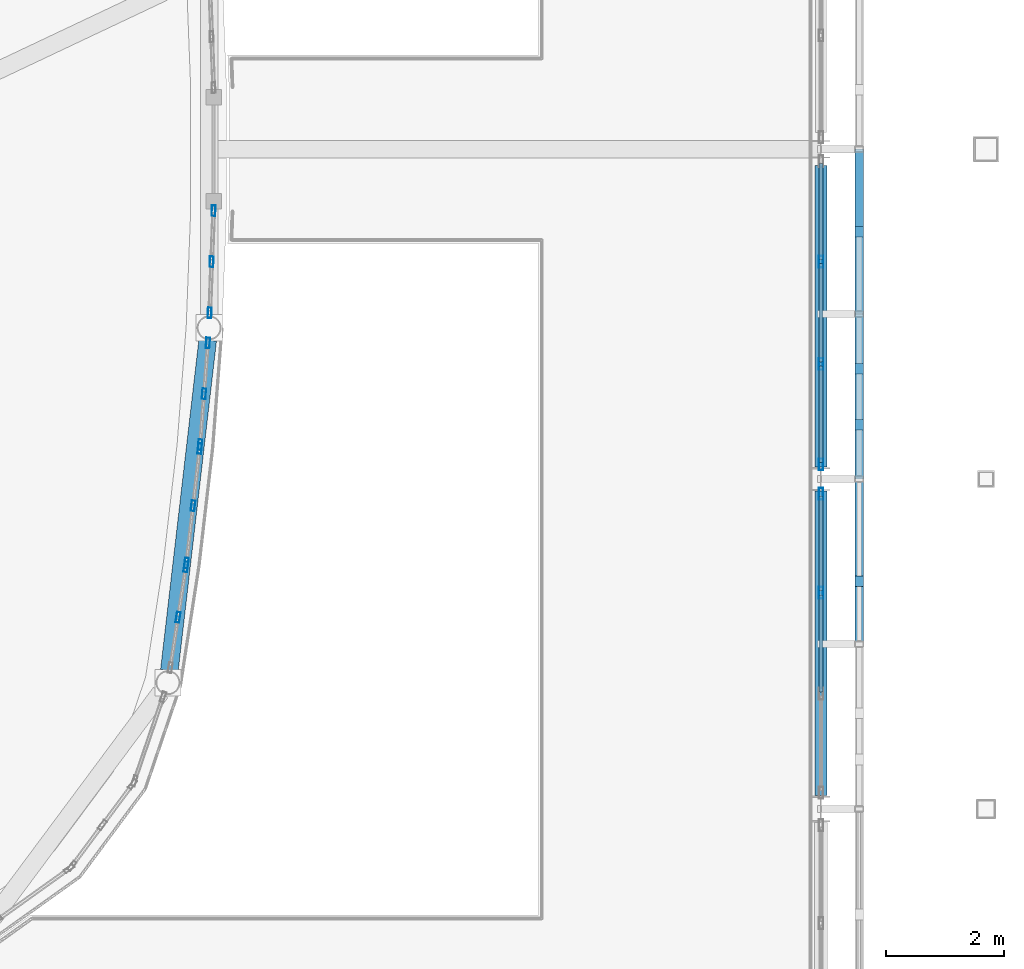
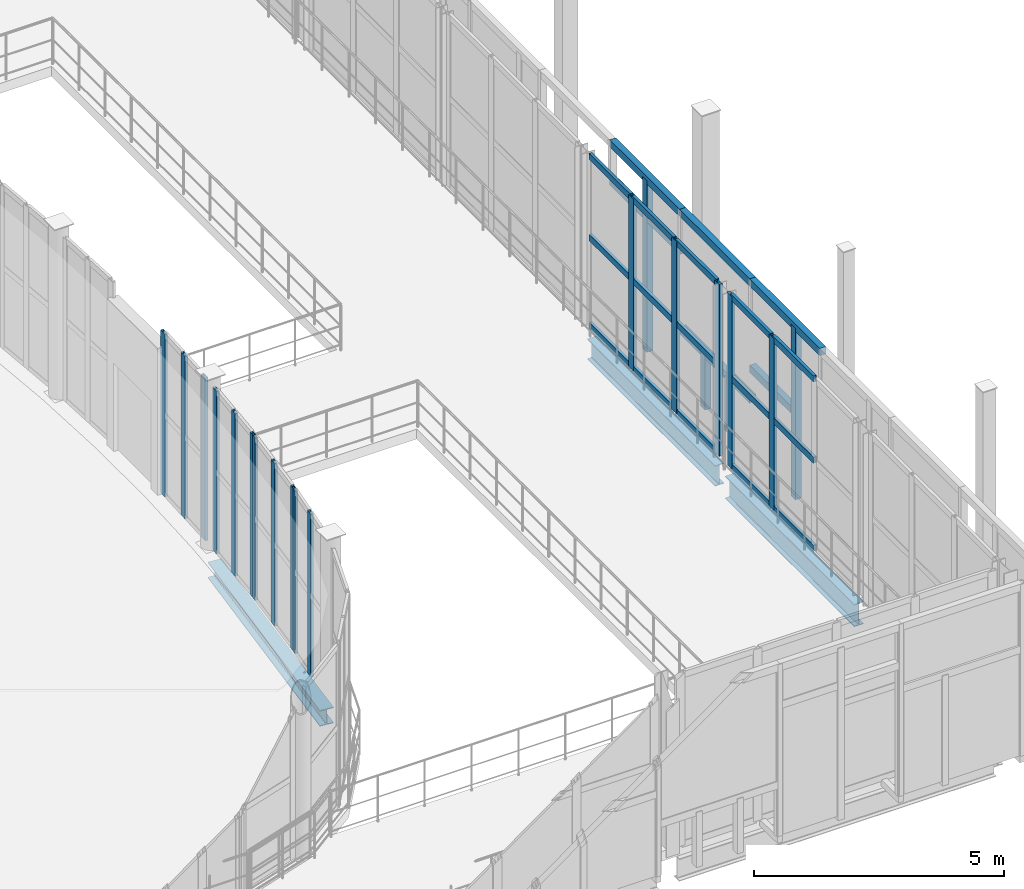
# One storey, part 47 of 121: 41 members, 3 beams, 6 elements without a shape of their own.
"""IFC4 building model written with IfcOpenShell, lengths in metres."""

from ifc_helpers import new_model, si_unit, direction, frame, origin, origin_2d, place, context, subcontext, project, spatial, rectangle, hollow_rectangle, i_section, extrude, material, layer, layer_set, material_profile, profile_set, type_object, element, aggregate, save


model = new_model("IFC4")

# Units and contexts
model_context = context("Model", 3, precision=1e-05, world=origin(), true_north=direction((0.0, 1.0)))
body_context = subcontext(model_context, "Body", "Model", "MODEL_VIEW")
ifc_project = project(units=[si_unit("LENGTHUNIT", "METRE"), si_unit("AREAUNIT", "SQUARE_METRE"), si_unit("VOLUMEUNIT", "CUBIC_METRE"), si_unit("PLANEANGLEUNIT", "RADIAN"), si_unit("MASSUNIT", "GRAM", prefix="KILO")], contexts=[model_context])

# Site, building, storey
site_placement = place(None, origin())
site = spatial("IfcSite", under=ifc_project, at=site_placement, CompositionType="ELEMENT")
building_placement = place(site_placement, origin())
building = spatial("IfcBuilding", under=site, at=building_placement, Name="Vinh Khe Railworks Police Headquarters", CompositionType="ELEMENT")
storey_placement = place(building_placement, frame((0.0, 0.0, 4.800048828125)))
storey = spatial("IfcBuildingStorey", under=building, at=storey_placement, Name="L01", CompositionType="ELEMENT", Elevation=4.800048828125)

# Members
ifc_material_1 = material(Name="Salvaged ironwood timber", Category="wood")
ifc_material_profile_1 = material_profile(ifc_material_1, rectangle(XDim=0.139892578125, YDim=0.179931640625, at=origin_2d()), Name="TIMBER 140x180")
ifc_profile_set_1 = profile_set([ifc_material_profile_1], Name="Salvaged ironwood timber")
member_type_1 = type_object("IfcMemberType", Name="MEM-QUILT-STILE", PredefinedType="CHORD", material=ifc_profile_set_1)
member_1_placement = place(storey_placement, frame((60.64990234375, 33.60009765625, 4.119873046875), z_axis=(0.0, 1.0, 0.0), x_axis=(-1.0, 0.0, 0.0)))
element("IfcMember", 1, at=member_1_placement, inside=storey, type_object=member_type_1, Name="Salvaged Timber Quilt Transom E-L01-03-TOP", PredefinedType="CHORD", context=body_context, shape_type="SweptSolid", body=[
    extrude(rectangle(XDim=0.139892578125, YDim=0.179931640625, at=origin_2d()), origin(), (0.0, 0.0, 1.0), 2.7998046875),
])
member_2_placement = place(storey_placement, frame((60.64990234375, 34.6640625, -0.080078125), z_axis=(0.0, 0.0, 1.0), x_axis=(1.0, 0.0, 0.0)))
element("IfcMember", 2, at=member_2_placement, inside=storey, type_object=member_type_1, Name="Salvaged Timber Quilt Stile E-L01-03-V1", PredefinedType="POST", context=body_context, shape_type="SweptSolid", body=[
    extrude(rectangle(XDim=0.139892578125, YDim=0.179931640625, at=origin_2d()), origin(), (0.0, 0.0, 1.0), 4.199951171875),
])
member_3_placement = place(storey_placement, frame((60.64990234375, 34.6640625, 2.015869140625), z_axis=(0.0, 1.0, 0.0), x_axis=(-1.0, 0.0, 0.0)))
element("IfcMember", 3, at=member_3_placement, inside=storey, type_object=member_type_1, Name="Salvaged Timber Quilt Transom E-L01-03-M1", PredefinedType="CHORD", context=body_context, shape_type="SweptSolid", body=[
    extrude(rectangle(XDim=0.139892578125, YDim=0.179931640625, at=origin_2d()), origin(), (0.0, 0.0, 1.0), 1.73583984375),
])
for number, where, z_axis, x_axis, name in (
    (4, (60.64990234375, 36.39990234375, 4.119873046875), (0.0, 1.0, 0.0), (-1.0, 0.0, 0.0), "Salvaged Timber Quilt Transom E-L01-04-TOP"),
    (5, (60.64990234375, 36.39990234375, 1.260009765625), (0.0, 1.0, 0.0), (-1.0, 0.0, 0.0), "Salvaged Timber Quilt Transom E-L01-04-M1"),
):
    element("IfcMember", number, at=place(storey_placement, frame(where, z_axis=z_axis, x_axis=x_axis)), inside=storey, type_object=member_type_1, Name=name, PredefinedType="CHORD", context=body_context, shape_type="SweptSolid", body=[
        extrude(rectangle(XDim=0.139892578125, YDim=0.179931640625, at=origin_2d()), origin(), (0.0, 0.0, 1.0), 2.800048828125),
    ])
for number, where, z_axis, x_axis, name in (
    (6, (60.64990234375, 37.323974609375, -0.080078125), (0.0, 0.0, 1.0), (1.0, 0.0, 0.0), "Salvaged Timber Quilt Stile E-L01-04-V1"),
    (7, (60.64990234375, 38.27587890625, -0.080078125), (0.0, 0.0, 1.0), (1.0, 0.0, 0.0), "Salvaged Timber Quilt Stile E-L01-04-V2"),
):
    element("IfcMember", number, at=place(storey_placement, frame(where, z_axis=z_axis, x_axis=x_axis)), inside=storey, type_object=member_type_1, Name=name, PredefinedType="POST", context=body_context, shape_type="SweptSolid", body=[
        extrude(rectangle(XDim=0.139892578125, YDim=0.179931640625, at=origin_2d()), origin(), (0.0, 0.0, 1.0), 1.340087890625),
    ])
for number, where, z_axis, x_axis, name in (
    (8, (60.64990234375, 39.199951171875, 4.119873046875), (0.0, 1.0, 0.0), (-1.0, 0.0, 0.0), "Salvaged Timber Quilt Transom E-L01-05-TOP"),
    (9, (60.64990234375, 39.199951171875, 3.19189453125), (0.0, 1.0, 0.0), (-1.0, 0.0, 0.0), "Salvaged Timber Quilt Transom E-L01-05-M1"),
):
    element("IfcMember", number, at=place(storey_placement, frame(where, z_axis=z_axis, x_axis=x_axis)), inside=storey, type_object=member_type_1, Name=name, PredefinedType="CHORD", context=body_context, shape_type="SweptSolid", body=[
        extrude(rectangle(XDim=0.139892578125, YDim=0.179931640625, at=origin_2d()), origin(), (0.0, 0.0, 1.0), 2.800048828125),
    ])
member_4_placement = place(storey_placement, frame((60.64990234375, 40.60009765625, -0.080078125), z_axis=(0.0, 0.0, 1.0), x_axis=(1.0, 0.0, 0.0)))
element("IfcMember", 10, at=member_4_placement, inside=storey, type_object=member_type_1, Name="Salvaged Timber Quilt Stile E-L01-05-V1", PredefinedType="POST", context=body_context, shape_type="SweptSolid", body=[
    extrude(rectangle(XDim=0.139892578125, YDim=0.179931640625, at=origin_2d()), origin(), (0.0, 0.0, 1.0), 4.199951171875),
])

# Curtain wall, members
ifc_material_2 = material(Name="Anodised aluminium and acoustic laminated glass", Category="aluminium")
ifc_layer_1 = layer(ifc_material_2, 0.159912109375)
ifc_layer_set_1 = layer_set([ifc_layer_1], Name="Anodised aluminium and acoustic laminated glass")
curtain_wall_type_1 = type_object("IfcCurtainWallType", Name="CW-DRUM-CHORD", PredefinedType="USERDEFINED", material=ifc_layer_set_1)
curtain_wall_1_placement = place(storey_placement, origin())
curtain_wall_1 = element("IfcCurtainWall", 11, at=curtain_wall_1_placement, inside=storey, type_object=curtain_wall_type_1, Name="Elliptical Command Drum Glazing L01 Chord 1", ObjectType="DRUM FACADE GLAZING", PredefinedType="USERDEFINED")
ifc_material_3 = material(Name="Anodised aluminium 6063-T6", Category="aluminium")
ifc_material_profile_2 = material_profile(ifc_material_3, hollow_rectangle(XDim=0.06494140625, YDim=0.179931640625, WallThickness=0.0048828125, at=origin_2d()), Name="CW-M 65x180x5")
ifc_profile_set_2 = profile_set([ifc_material_profile_2], Name="Anodised aluminium 6063-T6")
member_type_2 = type_object("IfcMemberType", Name="MULL-CWM-02", PredefinedType="MULLION", material=ifc_profile_set_2)
member_5_placement = place(storey_placement, frame((49.08544921875, 34.0537109375, 0.0), z_axis=(0.0, 0.0, 1.0), x_axis=(-0.988150267331, 0.153489573502, 0.0)))
member_5 = element("IfcMember", 12, at=member_5_placement, type_object=member_type_2, Name="CW-02 mullion 2", PredefinedType="MULLION", context=body_context, shape_type="SweptSolid", body=[
    extrude(hollow_rectangle(XDim=0.06494140625, YDim=0.179931640625, WallThickness=0.0048828125, at=origin_2d()), origin(), (0.0, 0.0, 1.0), 3.969970703125),
])
member_6_placement = place(storey_placement, frame((49.218505859375, 34.910400390625, 0.0), z_axis=(0.0, 0.0, 1.0), x_axis=(-0.988150267331, 0.153489573502, 0.0)))
member_6 = element("IfcMember", 13, at=member_6_placement, type_object=member_type_2, Name="CW-02 mullion 3", PredefinedType="MULLION", context=body_context, shape_type="SweptSolid", body=[
    extrude(hollow_rectangle(XDim=0.06494140625, YDim=0.179931640625, WallThickness=0.0048828125, at=origin_2d()), origin(), (0.0, 0.0, 1.0), 3.969970703125),
])
aggregate(curtain_wall_1, [member_5, member_6])

curtain_wall_2_placement = place(storey_placement, origin())
curtain_wall_2 = element("IfcCurtainWall", 14, at=curtain_wall_2_placement, inside=storey, type_object=curtain_wall_type_1, Name="Elliptical Command Drum Glazing L01 Chord 2", ObjectType="DRUM FACADE GLAZING", PredefinedType="USERDEFINED")
member_7_placement = place(storey_placement, frame((49.227294921875, 34.974853515625, 0.0), z_axis=(0.0, 0.0, 1.0), x_axis=(-0.993328656296, 0.115317737498, 0.0)))
member_7 = element("IfcMember", 15, at=member_7_placement, type_object=member_type_2, Name="CW-02 mullion 1", PredefinedType="MULLION", context=body_context, shape_type="SweptSolid", body=[
    extrude(hollow_rectangle(XDim=0.06494140625, YDim=0.179931640625, WallThickness=0.0048828125, at=origin_2d()), origin(), (0.0, 0.0, 1.0), 3.969970703125),
])
member_8_placement = place(storey_placement, frame((49.340087890625, 35.947021484375, 0.0), z_axis=(0.0, 0.0, 1.0), x_axis=(-0.993328656296, 0.115317737498, 0.0)))
member_8 = element("IfcMember", 16, at=member_8_placement, type_object=member_type_2, Name="CW-02 mullion 2", PredefinedType="MULLION", context=body_context, shape_type="SweptSolid", body=[
    extrude(hollow_rectangle(XDim=0.06494140625, YDim=0.179931640625, WallThickness=0.0048828125, at=origin_2d()), origin(), (0.0, 0.0, 1.0), 3.969970703125),
])
member_9_placement = place(storey_placement, frame((49.452880859375, 36.919189453125, 0.0), z_axis=(0.0, 0.0, 1.0), x_axis=(-0.993328656296, 0.115317737498, 0.0)))
member_9 = element("IfcMember", 17, at=member_9_placement, type_object=member_type_2, Name="CW-02 mullion 3", PredefinedType="MULLION", context=body_context, shape_type="SweptSolid", body=[
    extrude(hollow_rectangle(XDim=0.06494140625, YDim=0.179931640625, WallThickness=0.0048828125, at=origin_2d()), origin(), (0.0, 0.0, 1.0), 3.969970703125),
])
aggregate(curtain_wall_2, [member_7, member_8, member_9])

curtain_wall_3_placement = place(storey_placement, origin())
curtain_wall_3 = element("IfcCurtainWall", 18, at=curtain_wall_3_placement, inside=storey, type_object=curtain_wall_type_1, Name="Elliptical Command Drum Glazing L01 Chord 3", ObjectType="DRUM FACADE GLAZING", PredefinedType="USERDEFINED")
member_10_placement = place(storey_placement, frame((49.459228515625, 36.98388671875, 0.0), z_axis=(0.0, 0.0, 1.0), x_axis=(-0.997033261905, 0.076971908223, 0.0)))
member_10 = element("IfcMember", 19, at=member_10_placement, type_object=member_type_2, Name="CW-02 mullion 1", PredefinedType="MULLION", context=body_context, shape_type="SweptSolid", body=[
    extrude(hollow_rectangle(XDim=0.06494140625, YDim=0.179931640625, WallThickness=0.0048828125, at=origin_2d()), origin(), (0.0, 0.0, 1.0), 3.969970703125),
])
member_11_placement = place(storey_placement, frame((49.52587890625, 37.848388671875, 0.0), z_axis=(0.0, 0.0, 1.0), x_axis=(-0.997033261905, 0.076971908223, 0.0)))
member_11 = element("IfcMember", 20, at=member_11_placement, type_object=member_type_2, Name="CW-02 mullion 2", PredefinedType="MULLION", context=body_context, shape_type="SweptSolid", body=[
    extrude(hollow_rectangle(XDim=0.06494140625, YDim=0.179931640625, WallThickness=0.0048828125, at=origin_2d()), origin(), (0.0, 0.0, 1.0), 3.969970703125),
])
member_12_placement = place(storey_placement, frame((49.5927734375, 38.712890625, 0.0), z_axis=(0.0, 0.0, 1.0), x_axis=(-0.997033261905, 0.076971908223, 0.0)))
member_12 = element("IfcMember", 21, at=member_12_placement, type_object=member_type_2, Name="CW-02 mullion 3", PredefinedType="MULLION", context=body_context, shape_type="SweptSolid", body=[
    extrude(hollow_rectangle(XDim=0.06494140625, YDim=0.179931640625, WallThickness=0.0048828125, at=origin_2d()), origin(), (0.0, 0.0, 1.0), 3.969970703125),
])
aggregate(curtain_wall_3, [member_10, member_11, member_12])

curtain_wall_4_placement = place(storey_placement, origin())
curtain_wall_4 = element("IfcCurtainWall", 22, at=curtain_wall_4_placement, inside=storey, type_object=curtain_wall_type_1, Name="Elliptical Command Drum Glazing L01 Chord 4", ObjectType="DRUM FACADE GLAZING", PredefinedType="USERDEFINED")
member_13_placement = place(storey_placement, frame((49.622314453125, 39.223388671875, 0.0), z_axis=(0.0, 0.0, 1.0), x_axis=(-0.99925814209, 0.038511887338, 0.0)))
member_13 = element("IfcMember", 23, at=member_13_placement, type_object=member_type_2, Name="CW-02 mullion 1", PredefinedType="MULLION", context=body_context, shape_type="SweptSolid", body=[
    extrude(hollow_rectangle(XDim=0.06494140625, YDim=0.179931640625, WallThickness=0.0048828125, at=origin_2d()), origin(), (0.0, 0.0, 1.0), 3.969970703125),
])
member_14_placement = place(storey_placement, frame((49.655517578125, 40.08984375, 0.0), z_axis=(0.0, 0.0, 1.0), x_axis=(-0.99925814209, 0.038511887338, 0.0)))
member_14 = element("IfcMember", 24, at=member_14_placement, type_object=member_type_2, Name="CW-02 mullion 2", PredefinedType="MULLION", context=body_context, shape_type="SweptSolid", body=[
    extrude(hollow_rectangle(XDim=0.06494140625, YDim=0.179931640625, WallThickness=0.0048828125, at=origin_2d()), origin(), (0.0, 0.0, 1.0), 3.969970703125),
])
member_15_placement = place(storey_placement, frame((49.68896484375, 40.956298828125, 0.0), z_axis=(0.0, 0.0, 1.0), x_axis=(-0.99925814209, 0.038511887338, 0.0)))
member_15 = element("IfcMember", 25, at=member_15_placement, type_object=member_type_2, Name="CW-02 mullion 3", PredefinedType="MULLION", context=body_context, shape_type="SweptSolid", body=[
    extrude(hollow_rectangle(XDim=0.06494140625, YDim=0.179931640625, WallThickness=0.0048828125, at=origin_2d()), origin(), (0.0, 0.0, 1.0), 3.969970703125),
])
aggregate(curtain_wall_4, [member_13, member_14, member_15])

ifc_material_4 = material(Name="Anodised aluminium and low-iron glass", Category="aluminium")
ifc_layer_2 = layer(ifc_material_4, 0.179931640625)
ifc_layer_set_2 = layer_set([ifc_layer_2], Name="Anodised aluminium and low-iron glass")
curtain_wall_type_2 = type_object("IfcCurtainWallType", Name="CW-CUBE-UNIT", PredefinedType="USERDEFINED", material=ifc_layer_set_2)
curtain_wall_5_placement = place(storey_placement, origin())
curtain_wall_5 = element("IfcCurtainWall", 26, at=curtain_wall_5_placement, inside=storey, type_object=curtain_wall_type_2, Name="Entrance Hall Curtain Wall L01 E-2", ObjectType="UNITISED GLAZING", PredefinedType="USERDEFINED")
ifc_material_profile_3 = material_profile(ifc_material_3, hollow_rectangle(XDim=0.070068359375, YDim=0.199951171875, WallThickness=0.0048828125, at=origin_2d()), Name="CW-M 70x200x5")
ifc_profile_set_3 = profile_set([ifc_material_profile_3], Name="Anodised aluminium 6063-T6")
member_type_3 = type_object("IfcMemberType", Name="MULL-CWM-03", PredefinedType="MULLION", material=ifc_profile_set_3)
member_16_placement = place(storey_placement, frame((60.0, 34.469970703125, 0.0), z_axis=(0.0, 0.0, 1.0), x_axis=(-1.0, 0.0, 0.0)))
member_16 = element("IfcMember", 27, at=member_16_placement, type_object=member_type_3, Name="CW-01 mullion 3", PredefinedType="MULLION", context=body_context, shape_type="SweptSolid", body=[
    extrude(hollow_rectangle(XDim=0.070068359375, YDim=0.199951171875, WallThickness=0.0048828125, at=origin_2d()), origin(), (0.0, 0.0, 1.0), 4.199951171875),
])
member_17_placement = place(storey_placement, frame((60.0, 36.14990234375, 0.0), z_axis=(0.0, 0.0, 1.0), x_axis=(-1.0, 0.0, 0.0)))
member_17 = element("IfcMember", 28, at=member_17_placement, type_object=member_type_3, Name="CW-01 mullion 4", PredefinedType="MULLION", context=body_context, shape_type="SweptSolid", body=[
    extrude(hollow_rectangle(XDim=0.070068359375, YDim=0.199951171875, WallThickness=0.0048828125, at=origin_2d()), origin(), (0.0, 0.0, 1.0), 4.199951171875),
])

curtain_wall_6_placement = place(storey_placement, origin())
curtain_wall_6 = element("IfcCurtainWall", 29, at=curtain_wall_6_placement, inside=storey, type_object=curtain_wall_type_2, Name="Entrance Hall Curtain Wall L01 E-3", ObjectType="UNITISED GLAZING", PredefinedType="USERDEFINED")
member_18_placement = place(storey_placement, frame((60.0, 36.64990234375, 0.0), z_axis=(0.0, 0.0, 1.0), x_axis=(-1.0, 0.0, 0.0)))
member_18 = element("IfcMember", 30, at=member_18_placement, type_object=member_type_3, Name="CW-01 mullion 1", PredefinedType="MULLION", context=body_context, shape_type="SweptSolid", body=[
    extrude(hollow_rectangle(XDim=0.070068359375, YDim=0.199951171875, WallThickness=0.0048828125, at=origin_2d()), origin(), (0.0, 0.0, 1.0), 4.199951171875),
])
member_19_placement = place(storey_placement, frame((60.0, 38.353271484375, 0.0), z_axis=(0.0, 0.0, 1.0), x_axis=(-1.0, 0.0, 0.0)))
member_19 = element("IfcMember", 31, at=member_19_placement, type_object=member_type_3, Name="CW-01 mullion 2", PredefinedType="MULLION", context=body_context, shape_type="SweptSolid", body=[
    extrude(hollow_rectangle(XDim=0.070068359375, YDim=0.199951171875, WallThickness=0.0048828125, at=origin_2d()), origin(), (0.0, 0.0, 1.0), 4.199951171875),
])
member_20_placement = place(storey_placement, frame((60.0, 40.091552734375, 0.0), z_axis=(0.0, 0.0, 1.0), x_axis=(-1.0, 0.0, 0.0)))
member_20 = element("IfcMember", 32, at=member_20_placement, type_object=member_type_3, Name="CW-01 mullion 3", PredefinedType="MULLION", context=body_context, shape_type="SweptSolid", body=[
    extrude(hollow_rectangle(XDim=0.070068359375, YDim=0.199951171875, WallThickness=0.0048828125, at=origin_2d()), origin(), (0.0, 0.0, 1.0), 4.199951171875),
])

# Beams
ifc_material_5 = material(Name="Steel S355JR", Category="steel")
ifc_material_profile_4 = material_profile(ifc_material_5, i_section(OverallWidth=0.300048828125, OverallDepth=0.389892578125, WebThickness=0.010986328125, FlangeThickness=0.01904296875, FilletRadius=0.027099609375, at=origin_2d()), Name="HEA 400")
ifc_profile_set_4 = profile_set([ifc_material_profile_4], Name="Steel S355JR")
beam_type_1 = type_object("IfcBeamType", Name="Steel Girder HEA 400", PredefinedType="BEAM", material=ifc_profile_set_4)
beam_1_placement = place(storey_placement, frame((48.93701171875, 33.151123046875, -0.43505859375), z_axis=(0.115341149959, 0.993325938011, 0.0), x_axis=(-0.993325938011, 0.115341149959, 0.0)))
element("IfcBeam", 33, at=beam_1_placement, inside=storey, type_object=beam_type_1, Name="Drum Ring Girder BM-L01-DRUM-SB-14-0719", PredefinedType="BEAM", context=body_context, shape_type="SweptSolid", body=[
    extrude(i_section(OverallWidth=0.300048828125, OverallDepth=0.389892578125, WebThickness=0.010986328125, FlangeThickness=0.01904296875, FilletRadius=0.027099609375, at=origin_2d()), origin(), (0.0, 0.0, 1.0), 5.647216796875),
])
ifc_material_profile_5 = material_profile(ifc_material_5, i_section(OverallWidth=0.199951171875, OverallDepth=0.5, WebThickness=0.01025390625, FlangeThickness=0.01611328125, FilletRadius=0.02099609375, at=origin_2d()), Name="IPE 500")
ifc_profile_set_5 = profile_set([ifc_material_profile_5], Name="Steel S355JR")
beam_type_2 = type_object("IfcBeamType", Name="Steel Girder IPE 500", PredefinedType="BEAM", material=ifc_profile_set_5)
beam_2_placement = place(storey_placement, frame((60.0, 36.60498046875, -0.489990234375), z_axis=(0.0, 1.0, 0.0), x_axis=(-1.0, 0.0, 0.0)))
element("IfcBeam", 34, at=beam_2_placement, inside=storey, type_object=beam_type_2, Name="Girder BM-L01-NS-SB-19-0659", PredefinedType="BEAM", context=body_context, shape_type="SweptSolid", body=[
    extrude(i_section(OverallWidth=0.199951171875, OverallDepth=0.5, WebThickness=0.01025390625, FlangeThickness=0.01611328125, FilletRadius=0.02099609375, at=origin_2d()), origin(), (0.0, 0.0, 1.0), 5.114990234375),
])
ifc_material_profile_6 = material_profile(ifc_material_5, i_section(OverallWidth=0.2099609375, OverallDepth=0.550048828125, WebThickness=0.010986328125, FlangeThickness=0.01708984375, FilletRadius=0.02392578125, at=origin_2d()), Name="IPE 550")
ifc_profile_set_6 = profile_set([ifc_material_profile_6], Name="Steel S355JR")
beam_type_3 = type_object("IfcBeamType", Name="Steel Girder IPE 550", PredefinedType="BEAM", material=ifc_profile_set_6)
beam_3_placement = place(storey_placement, frame((60.0, 31.030029296875, -0.51513671875), z_axis=(0.0, 1.0, 0.0), x_axis=(-1.0, 0.0, 0.0)))
element("IfcBeam", 35, at=beam_3_placement, inside=storey, type_object=beam_type_3, Name="Girder BM-L01-NS-SB-18-0658", PredefinedType="BEAM", context=body_context, shape_type="SweptSolid", body=[
    extrude(i_section(OverallWidth=0.2099609375, OverallDepth=0.550048828125, WebThickness=0.010986328125, FlangeThickness=0.01708984375, FilletRadius=0.02392578125, at=origin_2d()), origin(), (0.0, 0.0, 1.0), 5.1650390625),
])

# Member
ifc_material_profile_7 = material_profile(ifc_material_3, hollow_rectangle(XDim=0.070068359375, YDim=0.14990234375, WallThickness=0.0048828125, at=origin_2d()), Name="CW-T 70x150x5")
ifc_profile_set_7 = profile_set([ifc_material_profile_7], Name="Anodised aluminium 6063-T6")
member_type_4 = type_object("IfcMemberType", Name="TRAN-CWT-03", PredefinedType="USERDEFINED", material=ifc_profile_set_7)
member_21_placement = place(storey_placement, frame((60.0, 32.7900390625, 0.034912109375), z_axis=(0.0, 1.0, 0.0), x_axis=(-1.0, 0.0, 0.0)))
member_21 = element("IfcMember", 36, at=member_21_placement, type_object=member_type_4, Name="CW-01 transom 2.1", ObjectType="TRANSOM", PredefinedType="USERDEFINED", context=body_context, shape_type="SweptSolid", body=[
    extrude(hollow_rectangle(XDim=0.070068359375, YDim=0.14990234375, WallThickness=0.0048828125, at=origin_2d()), origin(), (0.0, 0.0, 1.0), 1.64501953125),
])

member_22_placement = place(storey_placement, frame((60.0, 32.7900390625, 2.183837890625), z_axis=(0.0, 1.0, 0.0), x_axis=(-1.0, 0.0, 0.0)))
member_22 = element("IfcMember", 37, at=member_22_placement, type_object=member_type_4, Name="CW-01 transom 2.2", ObjectType="TRANSOM", PredefinedType="USERDEFINED", context=body_context, shape_type="SweptSolid", body=[
    extrude(hollow_rectangle(XDim=0.070068359375, YDim=0.14990234375, WallThickness=0.0048828125, at=origin_2d()), origin(), (0.0, 0.0, 1.0), 1.64501953125),
])

member_23_placement = place(storey_placement, frame((60.0, 32.7900390625, 4.1650390625), z_axis=(0.0, 1.0, 0.0), x_axis=(-1.0, 0.0, 0.0)))
member_23 = element("IfcMember", 38, at=member_23_placement, type_object=member_type_4, Name="CW-01 transom 2.3", ObjectType="TRANSOM", PredefinedType="USERDEFINED", context=body_context, shape_type="SweptSolid", body=[
    extrude(hollow_rectangle(XDim=0.070068359375, YDim=0.14990234375, WallThickness=0.0048828125, at=origin_2d()), origin(), (0.0, 0.0, 1.0), 1.64501953125),
])

member_24_placement = place(storey_placement, frame((60.0, 34.5048828125, 0.034912109375), z_axis=(0.0, 1.0, 0.0), x_axis=(-1.0, 0.0, 0.0)))
member_24 = element("IfcMember", 39, at=member_24_placement, type_object=member_type_4, Name="CW-01 transom 3.1", ObjectType="TRANSOM", PredefinedType="USERDEFINED", context=body_context, shape_type="SweptSolid", body=[
    extrude(hollow_rectangle(XDim=0.070068359375, YDim=0.14990234375, WallThickness=0.0048828125, at=origin_2d()), origin(), (0.0, 0.0, 1.0), 1.610107421875),
])

member_25_placement = place(storey_placement, frame((60.0, 34.5048828125, 2.183837890625), z_axis=(0.0, 1.0, 0.0), x_axis=(-1.0, 0.0, 0.0)))
member_25 = element("IfcMember", 40, at=member_25_placement, type_object=member_type_4, Name="CW-01 transom 3.2", ObjectType="TRANSOM", PredefinedType="USERDEFINED", context=body_context, shape_type="SweptSolid", body=[
    extrude(hollow_rectangle(XDim=0.070068359375, YDim=0.14990234375, WallThickness=0.0048828125, at=origin_2d()), origin(), (0.0, 0.0, 1.0), 1.610107421875),
])

member_26_placement = place(storey_placement, frame((60.0, 34.5048828125, 4.1650390625), z_axis=(0.0, 1.0, 0.0), x_axis=(-1.0, 0.0, 0.0)))
member_26 = element("IfcMember", 41, at=member_26_placement, type_object=member_type_4, Name="CW-01 transom 3.3", ObjectType="TRANSOM", PredefinedType="USERDEFINED", context=body_context, shape_type="SweptSolid", body=[
    extrude(hollow_rectangle(XDim=0.070068359375, YDim=0.14990234375, WallThickness=0.0048828125, at=origin_2d()), origin(), (0.0, 0.0, 1.0), 1.610107421875),
])

aggregate(curtain_wall_5, [member_16, member_17, member_21, member_22, member_23, member_24, member_25, member_26])

member_27_placement = place(storey_placement, frame((60.0, 36.68505859375, 0.034912109375), z_axis=(0.0, 1.0, 0.0), x_axis=(-1.0, 0.0, 0.0)))
member_27 = element("IfcMember", 42, at=member_27_placement, type_object=member_type_4, Name="CW-01 transom 1.1", ObjectType="TRANSOM", PredefinedType="USERDEFINED", context=body_context, shape_type="SweptSolid", body=[
    extrude(hollow_rectangle(XDim=0.070068359375, YDim=0.14990234375, WallThickness=0.0048828125, at=origin_2d()), origin(), (0.0, 0.0, 1.0), 1.63330078125),
])

member_28_placement = place(storey_placement, frame((60.0, 36.68505859375, 2.183837890625), z_axis=(0.0, 1.0, 0.0), x_axis=(-1.0, 0.0, 0.0)))
member_28 = element("IfcMember", 43, at=member_28_placement, type_object=member_type_4, Name="CW-01 transom 1.2", ObjectType="TRANSOM", PredefinedType="USERDEFINED", context=body_context, shape_type="SweptSolid", body=[
    extrude(hollow_rectangle(XDim=0.070068359375, YDim=0.14990234375, WallThickness=0.0048828125, at=origin_2d()), origin(), (0.0, 0.0, 1.0), 1.63330078125),
])

member_29_placement = place(storey_placement, frame((60.0, 36.68505859375, 4.1650390625), z_axis=(0.0, 1.0, 0.0), x_axis=(-1.0, 0.0, 0.0)))
member_29 = element("IfcMember", 44, at=member_29_placement, type_object=member_type_4, Name="CW-01 transom 1.3", ObjectType="TRANSOM", PredefinedType="USERDEFINED", context=body_context, shape_type="SweptSolid", body=[
    extrude(hollow_rectangle(XDim=0.070068359375, YDim=0.14990234375, WallThickness=0.0048828125, at=origin_2d()), origin(), (0.0, 0.0, 1.0), 1.63330078125),
])

member_30_placement = place(storey_placement, frame((60.0, 38.388427734375, 0.034912109375), z_axis=(0.0, 1.0, 0.0), x_axis=(-1.0, 0.0, 0.0)))
member_30 = element("IfcMember", 45, at=member_30_placement, type_object=member_type_4, Name="CW-01 transom 2.1", ObjectType="TRANSOM", PredefinedType="USERDEFINED", context=body_context, shape_type="SweptSolid", body=[
    extrude(hollow_rectangle(XDim=0.070068359375, YDim=0.14990234375, WallThickness=0.0048828125, at=origin_2d()), origin(), (0.0, 0.0, 1.0), 1.668212890625),
])

member_31_placement = place(storey_placement, frame((60.0, 38.388427734375, 2.183837890625), z_axis=(0.0, 1.0, 0.0), x_axis=(-1.0, 0.0, 0.0)))
member_31 = element("IfcMember", 46, at=member_31_placement, type_object=member_type_4, Name="CW-01 transom 2.2", ObjectType="TRANSOM", PredefinedType="USERDEFINED", context=body_context, shape_type="SweptSolid", body=[
    extrude(hollow_rectangle(XDim=0.070068359375, YDim=0.14990234375, WallThickness=0.0048828125, at=origin_2d()), origin(), (0.0, 0.0, 1.0), 1.668212890625),
])

member_32_placement = place(storey_placement, frame((60.0, 38.388427734375, 4.1650390625), z_axis=(0.0, 1.0, 0.0), x_axis=(-1.0, 0.0, 0.0)))
member_32 = element("IfcMember", 47, at=member_32_placement, type_object=member_type_4, Name="CW-01 transom 2.3", ObjectType="TRANSOM", PredefinedType="USERDEFINED", context=body_context, shape_type="SweptSolid", body=[
    extrude(hollow_rectangle(XDim=0.070068359375, YDim=0.14990234375, WallThickness=0.0048828125, at=origin_2d()), origin(), (0.0, 0.0, 1.0), 1.668212890625),
])

member_33_placement = place(storey_placement, frame((60.0, 40.126708984375, 0.034912109375), z_axis=(0.0, 1.0, 0.0), x_axis=(-1.0, 0.0, 0.0)))
member_33 = element("IfcMember", 48, at=member_33_placement, type_object=member_type_4, Name="CW-01 transom 3.1", ObjectType="TRANSOM", PredefinedType="USERDEFINED", context=body_context, shape_type="SweptSolid", body=[
    extrude(hollow_rectangle(XDim=0.070068359375, YDim=0.14990234375, WallThickness=0.0048828125, at=origin_2d()), origin(), (0.0, 0.0, 1.0), 1.63330078125),
])

member_34_placement = place(storey_placement, frame((60.0, 40.126708984375, 2.183837890625), z_axis=(0.0, 1.0, 0.0), x_axis=(-1.0, 0.0, 0.0)))
member_34 = element("IfcMember", 49, at=member_34_placement, type_object=member_type_4, Name="CW-01 transom 3.2", ObjectType="TRANSOM", PredefinedType="USERDEFINED", context=body_context, shape_type="SweptSolid", body=[
    extrude(hollow_rectangle(XDim=0.070068359375, YDim=0.14990234375, WallThickness=0.0048828125, at=origin_2d()), origin(), (0.0, 0.0, 1.0), 1.63330078125),
])

member_35_placement = place(storey_placement, frame((60.0, 40.126708984375, 4.1650390625), z_axis=(0.0, 1.0, 0.0), x_axis=(-1.0, 0.0, 0.0)))
member_35 = element("IfcMember", 50, at=member_35_placement, type_object=member_type_4, Name="CW-01 transom 3.3", ObjectType="TRANSOM", PredefinedType="USERDEFINED", context=body_context, shape_type="SweptSolid", body=[
    extrude(hollow_rectangle(XDim=0.070068359375, YDim=0.14990234375, WallThickness=0.0048828125, at=origin_2d()), origin(), (0.0, 0.0, 1.0), 1.63330078125),
])

aggregate(curtain_wall_6, [member_18, member_19, member_20, member_27, member_28, member_29, member_30, member_31, member_32, member_33, member_34, member_35])

save(model, "model.ifc")
